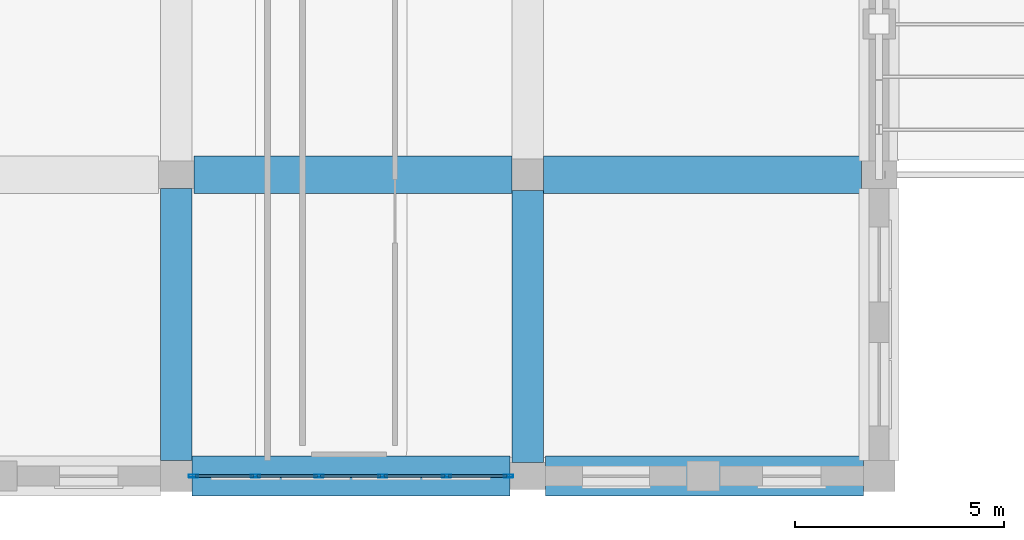
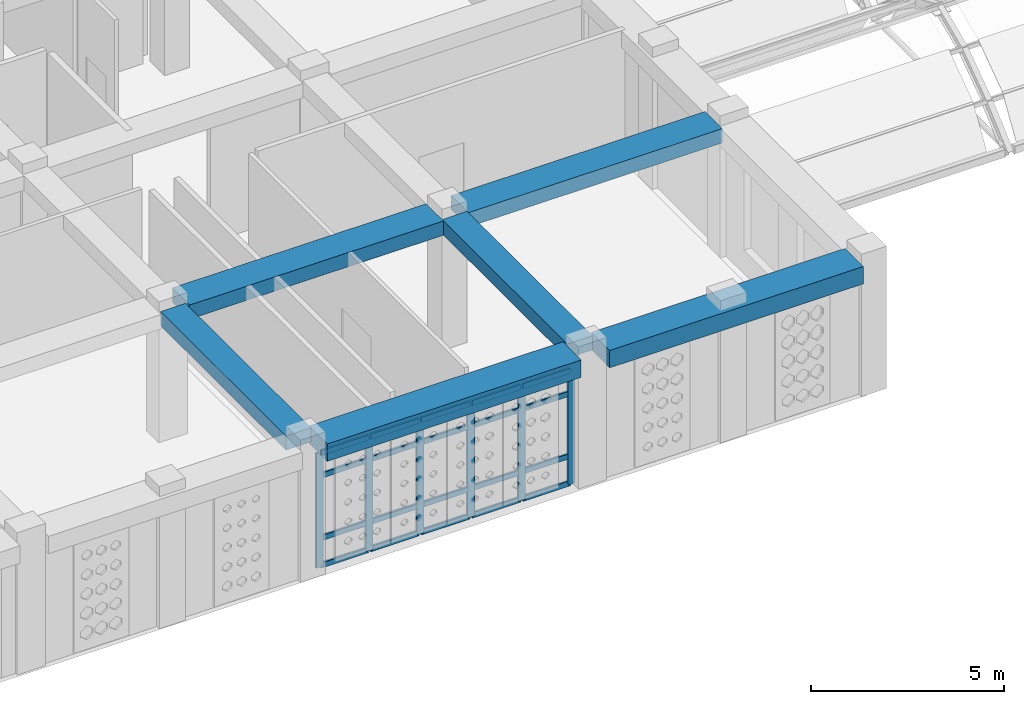
# One storey, part 7 of 100: 26 members, 6 beams, 1 element without a shape of its own.
"""IFC4 building model written with IfcOpenShell, lengths in metres."""

from ifc_helpers import new_model, si_unit, derived_unit, direction, frame, origin, origin_2d, place, context, subcontext, project, spatial, rectangle, hollow_rectangle, extrude, material, material_profile, profile_set, type_object, element, aggregate, save


model = new_model("IFC4")

# Units and contexts
model_context = context("Model", 3, precision=1e-05, world=origin(), true_north=direction((0.0, 1.0)))
body_context = subcontext(model_context, "Body", "Model", "MODEL_VIEW")
ifc_project = project(units=[si_unit("LENGTHUNIT", "METRE"), si_unit("AREAUNIT", "SQUARE_METRE"), si_unit("VOLUMEUNIT", "CUBIC_METRE"), si_unit("PLANEANGLEUNIT", "RADIAN"), si_unit("MASSUNIT", "GRAM", prefix="KILO"), derived_unit("THERMALTRANSMITTANCEUNIT", [(si_unit("POWERUNIT", "WATT"), 1), (si_unit("LENGTHUNIT", "METRE"), -2), (si_unit("THERMODYNAMICTEMPERATUREUNIT", "KELVIN"), -1)])], contexts=[model_context])

# Site, building, storey
site_placement = place(None, origin())
site = spatial("IfcSite", under=ifc_project, at=site_placement, CompositionType="ELEMENT")
building_placement = place(site_placement, origin())
building = spatial("IfcBuilding", under=site, at=building_placement, Name="Veybourne Emporium", CompositionType="ELEMENT")
storey_placement = place(building_placement, frame((0.0, 0.0, 14.39990234375)))
storey = spatial("IfcBuildingStorey", under=building, at=storey_placement, Name="L03", CompositionType="ELEMENT", Elevation=14.39990234375)

# Curtain wall, members
ifc_material_1 = material(Name="Patinated Architectural Bronze", Category="bronze")
curtain_wall_type = type_object("IfcCurtainWallType", Name="CWSystem_CWS-13", PredefinedType="NOTDEFINED", material=ifc_material_1)
curtain_wall_placement = place(storey_placement, origin())
curtain_wall = element("IfcCurtainWall", 1, at=curtain_wall_placement, inside=storey, type_object=curtain_wall_type, Name="L03 bronze glazed curtain wall CWS-13 (021)", PredefinedType="NOTDEFINED")
ifc_material_profile_1 = material_profile(ifc_material_1, hollow_rectangle(XDim=0.072021484375, YDim=0.22509765625, WallThickness=0.0048828125, InnerFilletRadius=0.007568359375, OuterFilletRadius=0.012451171875, at=origin_2d()), Name="CWM 72x225x5")
ifc_profile_set_1 = profile_set([ifc_material_profile_1], Name="Patinated Architectural Bronze")
member_type_1 = type_object("IfcMemberType", Name="CWMullion_CW-M1", PredefinedType="MULLION", material=ifc_profile_set_1)
member_1_placement = place(storey_placement, frame((41.5390625, 0.0, 0.0), z_axis=(0.0, 0.0, 1.0), x_axis=(0.0, -1.0, 0.0)))
member_1 = element("IfcMember", 2, at=member_1_placement, type_object=member_type_1, Name="CWS-13 mullion 1", PredefinedType="MULLION", context=body_context, shape_type="SweptSolid", body=[
    extrude(hollow_rectangle(XDim=0.072021484375, YDim=0.22509765625, WallThickness=0.0048828125, InnerFilletRadius=0.007568359375, OuterFilletRadius=0.012451171875, at=origin_2d()), origin(), (0.0, 0.0, 1.0), 3.630126953125),
])
member_2_placement = place(storey_placement, frame((40.054931640625, 0.0, 0.0), z_axis=(0.0, 0.0, 1.0), x_axis=(0.0, -1.0, 0.0)))
member_2 = element("IfcMember", 3, at=member_2_placement, type_object=member_type_1, Name="CWS-13 mullion 2", PredefinedType="MULLION", context=body_context, shape_type="SweptSolid", body=[
    extrude(hollow_rectangle(XDim=0.072021484375, YDim=0.22509765625, WallThickness=0.0048828125, InnerFilletRadius=0.007568359375, OuterFilletRadius=0.012451171875, at=origin_2d()), origin(), (0.0, 0.0, 1.0), 3.630126953125),
])
member_3_placement = place(storey_placement, frame((38.534912109375, 0.0, 0.0), z_axis=(0.0, 0.0, 1.0), x_axis=(0.0, -1.0, 0.0)))
member_3 = element("IfcMember", 4, at=member_3_placement, type_object=member_type_1, Name="CWS-13 mullion 3", PredefinedType="MULLION", context=body_context, shape_type="SweptSolid", body=[
    extrude(hollow_rectangle(XDim=0.072021484375, YDim=0.22509765625, WallThickness=0.0048828125, InnerFilletRadius=0.007568359375, OuterFilletRadius=0.012451171875, at=origin_2d()), origin(), (0.0, 0.0, 1.0), 3.630126953125),
])
member_4_placement = place(storey_placement, frame((37.014892578125, 0.0, 0.0), z_axis=(0.0, 0.0, 1.0), x_axis=(0.0, -1.0, 0.0)))
member_4 = element("IfcMember", 5, at=member_4_placement, type_object=member_type_1, Name="CWS-13 mullion 4", PredefinedType="MULLION", context=body_context, shape_type="SweptSolid", body=[
    extrude(hollow_rectangle(XDim=0.072021484375, YDim=0.22509765625, WallThickness=0.0048828125, InnerFilletRadius=0.007568359375, OuterFilletRadius=0.012451171875, at=origin_2d()), origin(), (0.0, 0.0, 1.0), 3.630126953125),
])
member_5_placement = place(storey_placement, frame((35.4951171875, 0.0, 0.0), z_axis=(0.0, 0.0, 1.0), x_axis=(0.0, -1.0, 0.0)))
member_5 = element("IfcMember", 6, at=member_5_placement, type_object=member_type_1, Name="CWS-13 mullion 5", PredefinedType="MULLION", context=body_context, shape_type="SweptSolid", body=[
    extrude(hollow_rectangle(XDim=0.072021484375, YDim=0.22509765625, WallThickness=0.0048828125, InnerFilletRadius=0.007568359375, OuterFilletRadius=0.012451171875, at=origin_2d()), origin(), (0.0, 0.0, 1.0), 3.630126953125),
])
member_6_placement = place(storey_placement, frame((34.010986328125, 0.0, 0.0), z_axis=(0.0, 0.0, 1.0), x_axis=(0.0, -1.0, 0.0)))
member_6 = element("IfcMember", 7, at=member_6_placement, type_object=member_type_1, Name="CWS-13 mullion 6", PredefinedType="MULLION", context=body_context, shape_type="SweptSolid", body=[
    extrude(hollow_rectangle(XDim=0.072021484375, YDim=0.22509765625, WallThickness=0.0048828125, InnerFilletRadius=0.007568359375, OuterFilletRadius=0.012451171875, at=origin_2d()), origin(), (0.0, 0.0, 1.0), 3.630126953125),
])
ifc_material_profile_2 = material_profile(ifc_material_1, hollow_rectangle(XDim=0.072021484375, YDim=0.175048828125, WallThickness=0.0048828125, InnerFilletRadius=0.007568359375, OuterFilletRadius=0.012451171875, at=origin_2d()), Name="CWT 72x175x5")
ifc_profile_set_2 = profile_set([ifc_material_profile_2], Name="Patinated Architectural Bronze")
member_type_2 = type_object("IfcMemberType", Name="CWTransom_CW-T1", PredefinedType="NOTDEFINED", material=ifc_profile_set_2)
member_7_placement = place(storey_placement, frame((41.5029296875, 0.0, 0.0361328125), z_axis=(-1.0, 0.0, 0.0), x_axis=(0.0, -1.0, 0.0)))
member_7 = element("IfcMember", 8, at=member_7_placement, type_object=member_type_2, Name="CWS-13 transom 1.1", ObjectType="TRANSOM", PredefinedType="USERDEFINED", context=body_context, shape_type="SweptSolid", body=[
    extrude(hollow_rectangle(XDim=0.072021484375, YDim=0.175048828125, WallThickness=0.0048828125, InnerFilletRadius=0.007568359375, OuterFilletRadius=0.012451171875, at=origin_2d()), origin(), (0.0, 0.0, 1.0), 1.411865234375),
])
member_8_placement = place(storey_placement, frame((41.5029296875, 0.0, 0.900146484375), z_axis=(-1.0, 0.0, 0.0), x_axis=(0.0, -1.0, 0.0)))
member_8 = element("IfcMember", 9, at=member_8_placement, type_object=member_type_2, Name="CWS-13 transom 1.2", ObjectType="TRANSOM", PredefinedType="USERDEFINED", context=body_context, shape_type="SweptSolid", body=[
    extrude(hollow_rectangle(XDim=0.072021484375, YDim=0.175048828125, WallThickness=0.0048828125, InnerFilletRadius=0.007568359375, OuterFilletRadius=0.012451171875, at=origin_2d()), origin(), (0.0, 0.0, 1.0), 1.411865234375),
])
member_9_placement = place(storey_placement, frame((41.5029296875, 0.0, 2.880126953125), z_axis=(-1.0, 0.0, 0.0), x_axis=(0.0, -1.0, 0.0)))
member_9 = element("IfcMember", 10, at=member_9_placement, type_object=member_type_2, Name="CWS-13 transom 1.3", ObjectType="TRANSOM", PredefinedType="USERDEFINED", context=body_context, shape_type="SweptSolid", body=[
    extrude(hollow_rectangle(XDim=0.072021484375, YDim=0.175048828125, WallThickness=0.0048828125, InnerFilletRadius=0.007568359375, OuterFilletRadius=0.012451171875, at=origin_2d()), origin(), (0.0, 0.0, 1.0), 1.411865234375),
])
member_10_placement = place(storey_placement, frame((41.5029296875, 0.0, 3.593994140625), z_axis=(-1.0, 0.0, 0.0), x_axis=(0.0, -1.0, 0.0)))
member_10 = element("IfcMember", 11, at=member_10_placement, type_object=member_type_2, Name="CWS-13 transom 1.4", ObjectType="TRANSOM", PredefinedType="USERDEFINED", context=body_context, shape_type="SweptSolid", body=[
    extrude(hollow_rectangle(XDim=0.072021484375, YDim=0.175048828125, WallThickness=0.0048828125, InnerFilletRadius=0.007568359375, OuterFilletRadius=0.012451171875, at=origin_2d()), origin(), (0.0, 0.0, 1.0), 1.411865234375),
])
member_11_placement = place(storey_placement, frame((40.01904296875, 0.0, 0.0361328125), z_axis=(-1.0, 0.0, 0.0), x_axis=(0.0, -1.0, 0.0)))
member_11 = element("IfcMember", 12, at=member_11_placement, type_object=member_type_2, Name="CWS-13 transom 2.1", ObjectType="TRANSOM", PredefinedType="USERDEFINED", context=body_context, shape_type="SweptSolid", body=[
    extrude(hollow_rectangle(XDim=0.072021484375, YDim=0.175048828125, WallThickness=0.0048828125, InnerFilletRadius=0.007568359375, OuterFilletRadius=0.012451171875, at=origin_2d()), origin(), (0.0, 0.0, 1.0), 1.447998046875),
])
member_12_placement = place(storey_placement, frame((40.01904296875, 0.0, 0.900146484375), z_axis=(-1.0, 0.0, 0.0), x_axis=(0.0, -1.0, 0.0)))
member_12 = element("IfcMember", 13, at=member_12_placement, type_object=member_type_2, Name="CWS-13 transom 2.2", ObjectType="TRANSOM", PredefinedType="USERDEFINED", context=body_context, shape_type="SweptSolid", body=[
    extrude(hollow_rectangle(XDim=0.072021484375, YDim=0.175048828125, WallThickness=0.0048828125, InnerFilletRadius=0.007568359375, OuterFilletRadius=0.012451171875, at=origin_2d()), origin(), (0.0, 0.0, 1.0), 1.447998046875),
])
member_13_placement = place(storey_placement, frame((40.01904296875, 0.0, 2.880126953125), z_axis=(-1.0, 0.0, 0.0), x_axis=(0.0, -1.0, 0.0)))
member_13 = element("IfcMember", 14, at=member_13_placement, type_object=member_type_2, Name="CWS-13 transom 2.3", ObjectType="TRANSOM", PredefinedType="USERDEFINED", context=body_context, shape_type="SweptSolid", body=[
    extrude(hollow_rectangle(XDim=0.072021484375, YDim=0.175048828125, WallThickness=0.0048828125, InnerFilletRadius=0.007568359375, OuterFilletRadius=0.012451171875, at=origin_2d()), origin(), (0.0, 0.0, 1.0), 1.447998046875),
])
member_14_placement = place(storey_placement, frame((40.01904296875, 0.0, 3.593994140625), z_axis=(-1.0, 0.0, 0.0), x_axis=(0.0, -1.0, 0.0)))
member_14 = element("IfcMember", 15, at=member_14_placement, type_object=member_type_2, Name="CWS-13 transom 2.4", ObjectType="TRANSOM", PredefinedType="USERDEFINED", context=body_context, shape_type="SweptSolid", body=[
    extrude(hollow_rectangle(XDim=0.072021484375, YDim=0.175048828125, WallThickness=0.0048828125, InnerFilletRadius=0.007568359375, OuterFilletRadius=0.012451171875, at=origin_2d()), origin(), (0.0, 0.0, 1.0), 1.447998046875),
])
member_15_placement = place(storey_placement, frame((38.4990234375, 0.0, 0.0361328125), z_axis=(-1.0, 0.0, 0.0), x_axis=(0.0, -1.0, 0.0)))
member_15 = element("IfcMember", 16, at=member_15_placement, type_object=member_type_2, Name="CWS-13 transom 3.1", ObjectType="TRANSOM", PredefinedType="USERDEFINED", context=body_context, shape_type="SweptSolid", body=[
    extrude(hollow_rectangle(XDim=0.072021484375, YDim=0.175048828125, WallThickness=0.0048828125, InnerFilletRadius=0.007568359375, OuterFilletRadius=0.012451171875, at=origin_2d()), origin(), (0.0, 0.0, 1.0), 1.447998046875),
])
member_16_placement = place(storey_placement, frame((38.4990234375, 0.0, 0.900146484375), z_axis=(-1.0, 0.0, 0.0), x_axis=(0.0, -1.0, 0.0)))
member_16 = element("IfcMember", 17, at=member_16_placement, type_object=member_type_2, Name="CWS-13 transom 3.2", ObjectType="TRANSOM", PredefinedType="USERDEFINED", context=body_context, shape_type="SweptSolid", body=[
    extrude(hollow_rectangle(XDim=0.072021484375, YDim=0.175048828125, WallThickness=0.0048828125, InnerFilletRadius=0.007568359375, OuterFilletRadius=0.012451171875, at=origin_2d()), origin(), (0.0, 0.0, 1.0), 1.447998046875),
])
member_17_placement = place(storey_placement, frame((38.4990234375, 0.0, 2.880126953125), z_axis=(-1.0, 0.0, 0.0), x_axis=(0.0, -1.0, 0.0)))
member_17 = element("IfcMember", 18, at=member_17_placement, type_object=member_type_2, Name="CWS-13 transom 3.3", ObjectType="TRANSOM", PredefinedType="USERDEFINED", context=body_context, shape_type="SweptSolid", body=[
    extrude(hollow_rectangle(XDim=0.072021484375, YDim=0.175048828125, WallThickness=0.0048828125, InnerFilletRadius=0.007568359375, OuterFilletRadius=0.012451171875, at=origin_2d()), origin(), (0.0, 0.0, 1.0), 1.447998046875),
])
member_18_placement = place(storey_placement, frame((38.4990234375, 0.0, 3.593994140625), z_axis=(-1.0, 0.0, 0.0), x_axis=(0.0, -1.0, 0.0)))
member_18 = element("IfcMember", 19, at=member_18_placement, type_object=member_type_2, Name="CWS-13 transom 3.4", ObjectType="TRANSOM", PredefinedType="USERDEFINED", context=body_context, shape_type="SweptSolid", body=[
    extrude(hollow_rectangle(XDim=0.072021484375, YDim=0.175048828125, WallThickness=0.0048828125, InnerFilletRadius=0.007568359375, OuterFilletRadius=0.012451171875, at=origin_2d()), origin(), (0.0, 0.0, 1.0), 1.447998046875),
])
member_19_placement = place(storey_placement, frame((36.97900390625, 0.0, 0.0361328125), z_axis=(-1.0, 0.0, 0.0), x_axis=(0.0, -1.0, 0.0)))
member_19 = element("IfcMember", 20, at=member_19_placement, type_object=member_type_2, Name="CWS-13 transom 4.1", ObjectType="TRANSOM", PredefinedType="USERDEFINED", context=body_context, shape_type="SweptSolid", body=[
    extrude(hollow_rectangle(XDim=0.072021484375, YDim=0.175048828125, WallThickness=0.0048828125, InnerFilletRadius=0.007568359375, OuterFilletRadius=0.012451171875, at=origin_2d()), origin(), (0.0, 0.0, 1.0), 1.447998046875),
])
member_20_placement = place(storey_placement, frame((36.97900390625, 0.0, 0.900146484375), z_axis=(-1.0, 0.0, 0.0), x_axis=(0.0, -1.0, 0.0)))
member_20 = element("IfcMember", 21, at=member_20_placement, type_object=member_type_2, Name="CWS-13 transom 4.2", ObjectType="TRANSOM", PredefinedType="USERDEFINED", context=body_context, shape_type="SweptSolid", body=[
    extrude(hollow_rectangle(XDim=0.072021484375, YDim=0.175048828125, WallThickness=0.0048828125, InnerFilletRadius=0.007568359375, OuterFilletRadius=0.012451171875, at=origin_2d()), origin(), (0.0, 0.0, 1.0), 1.447998046875),
])
member_21_placement = place(storey_placement, frame((36.97900390625, 0.0, 2.880126953125), z_axis=(-1.0, 0.0, 0.0), x_axis=(0.0, -1.0, 0.0)))
member_21 = element("IfcMember", 22, at=member_21_placement, type_object=member_type_2, Name="CWS-13 transom 4.3", ObjectType="TRANSOM", PredefinedType="USERDEFINED", context=body_context, shape_type="SweptSolid", body=[
    extrude(hollow_rectangle(XDim=0.072021484375, YDim=0.175048828125, WallThickness=0.0048828125, InnerFilletRadius=0.007568359375, OuterFilletRadius=0.012451171875, at=origin_2d()), origin(), (0.0, 0.0, 1.0), 1.447998046875),
])
member_22_placement = place(storey_placement, frame((36.97900390625, 0.0, 3.593994140625), z_axis=(-1.0, 0.0, 0.0), x_axis=(0.0, -1.0, 0.0)))
member_22 = element("IfcMember", 23, at=member_22_placement, type_object=member_type_2, Name="CWS-13 transom 4.4", ObjectType="TRANSOM", PredefinedType="USERDEFINED", context=body_context, shape_type="SweptSolid", body=[
    extrude(hollow_rectangle(XDim=0.072021484375, YDim=0.175048828125, WallThickness=0.0048828125, InnerFilletRadius=0.007568359375, OuterFilletRadius=0.012451171875, at=origin_2d()), origin(), (0.0, 0.0, 1.0), 1.447998046875),
])
member_23_placement = place(storey_placement, frame((35.458984375, 0.0, 0.0361328125), z_axis=(-1.0, 0.0, 0.0), x_axis=(0.0, -1.0, 0.0)))
member_23 = element("IfcMember", 24, at=member_23_placement, type_object=member_type_2, Name="CWS-13 transom 5.1", ObjectType="TRANSOM", PredefinedType="USERDEFINED", context=body_context, shape_type="SweptSolid", body=[
    extrude(hollow_rectangle(XDim=0.072021484375, YDim=0.175048828125, WallThickness=0.0048828125, InnerFilletRadius=0.007568359375, OuterFilletRadius=0.012451171875, at=origin_2d()), origin(), (0.0, 0.0, 1.0), 1.411865234375),
])
member_24_placement = place(storey_placement, frame((35.458984375, 0.0, 0.900146484375), z_axis=(-1.0, 0.0, 0.0), x_axis=(0.0, -1.0, 0.0)))
member_24 = element("IfcMember", 25, at=member_24_placement, type_object=member_type_2, Name="CWS-13 transom 5.2", ObjectType="TRANSOM", PredefinedType="USERDEFINED", context=body_context, shape_type="SweptSolid", body=[
    extrude(hollow_rectangle(XDim=0.072021484375, YDim=0.175048828125, WallThickness=0.0048828125, InnerFilletRadius=0.007568359375, OuterFilletRadius=0.012451171875, at=origin_2d()), origin(), (0.0, 0.0, 1.0), 1.411865234375),
])
member_25_placement = place(storey_placement, frame((35.458984375, 0.0, 2.880126953125), z_axis=(-1.0, 0.0, 0.0), x_axis=(0.0, -1.0, 0.0)))
member_25 = element("IfcMember", 26, at=member_25_placement, type_object=member_type_2, Name="CWS-13 transom 5.3", ObjectType="TRANSOM", PredefinedType="USERDEFINED", context=body_context, shape_type="SweptSolid", body=[
    extrude(hollow_rectangle(XDim=0.072021484375, YDim=0.175048828125, WallThickness=0.0048828125, InnerFilletRadius=0.007568359375, OuterFilletRadius=0.012451171875, at=origin_2d()), origin(), (0.0, 0.0, 1.0), 1.411865234375),
])
member_26_placement = place(storey_placement, frame((35.458984375, 0.0, 3.593994140625), z_axis=(-1.0, 0.0, 0.0), x_axis=(0.0, -1.0, 0.0)))
member_26 = element("IfcMember", 27, at=member_26_placement, type_object=member_type_2, Name="CWS-13 transom 5.4", ObjectType="TRANSOM", PredefinedType="USERDEFINED", context=body_context, shape_type="SweptSolid", body=[
    extrude(hollow_rectangle(XDim=0.072021484375, YDim=0.175048828125, WallThickness=0.0048828125, InnerFilletRadius=0.007568359375, OuterFilletRadius=0.012451171875, at=origin_2d()), origin(), (0.0, 0.0, 1.0), 1.411865234375),
])
aggregate(curtain_wall, [member_1, member_2, member_3, member_4, member_5, member_6, member_7, member_8, member_9, member_10, member_11, member_12, member_13, member_14, member_15, member_16, member_17, member_18, member_19, member_20, member_21, member_22, member_23, member_24, member_25, member_26])

# Beams
ifc_material_2 = material(Name="Concrete C32/40", Category="concrete")
ifc_material_profile_3 = material_profile(ifc_material_2, rectangle(XDim=0.89990234375, YDim=0.449951171875, at=origin_2d()), Name="RC 900x450")
ifc_profile_set_3 = profile_set([ifc_material_profile_3], Name="Concrete C32/40")
beam_type_1 = type_object("IfcBeamType", Name="RCBeam_BB-03", PredefinedType="BEAM", material=ifc_profile_set_3)
for number, where, z_axis, x_axis, name in (
    (28, (34.02490234375, 7.199951171875, 3.955078125), (1.0, 0.0, 0.0), (0.0, 1.0, 0.0), "L03 X-grid beam BB-03 (4,1)"),
    (29, (42.375, 7.199951171875, 3.955078125), (1.0, 0.0, 0.0), (0.0, 1.0, 0.0), "L03 X-grid beam BB-03 (5,1)"),
):
    element("IfcBeam", number, at=place(storey_placement, frame(where, z_axis=z_axis, x_axis=x_axis)), inside=storey, type_object=beam_type_1, Name=name, PredefinedType="BEAM", context=body_context, shape_type="SweptSolid", body=[
        extrude(rectangle(XDim=0.89990234375, YDim=0.449951171875, at=origin_2d()), origin(), (0.0, 0.0, 1.0), 7.60009765625),
    ])
ifc_material_profile_4 = material_profile(ifc_material_2, rectangle(XDim=0.75, YDim=0.449951171875, at=origin_2d()), Name="RC 750x450")
ifc_profile_set_4 = profile_set([ifc_material_profile_4], Name="Concrete C32/40")
beam_type_2 = type_object("IfcBeamType", Name="RCBeam_BB-04", PredefinedType="BEAM", material=ifc_profile_set_4)
for number, where, z_axis, x_axis, name in (
    (30, (33.60009765625, 0.375, 3.955078125), (0.0, 1.0, 0.0), (-1.0, 0.0, 0.0), "L03 Y-grid beam BB-04 (4,0)"),
    (31, (42.0, 0.324951171875, 3.955078125), (0.0, 1.0, 0.0), (-1.0, 0.0, 0.0), "L03 Y-grid beam BB-04 (5,0)"),
):
    element("IfcBeam", number, at=place(storey_placement, frame(where, z_axis=z_axis, x_axis=x_axis)), inside=storey, type_object=beam_type_2, Name=name, PredefinedType="BEAM", context=body_context, shape_type="SweptSolid", body=[
        extrude(rectangle(XDim=0.75, YDim=0.449951171875, at=origin_2d()), origin(), (0.0, 0.0, 1.0), 6.5),
    ])
ifc_material_profile_5 = material_profile(ifc_material_2, rectangle(XDim=0.949951171875, YDim=0.550048828125, at=origin_2d()), Name="RC 950x550")
ifc_profile_set_5 = profile_set([ifc_material_profile_5], Name="Concrete C32/40")
beam_type_3 = type_object("IfcBeamType", Name="RCBeam_EB-01", PredefinedType="SPANDREL", material=ifc_profile_set_5)
for number, where, z_axis, x_axis, name in (
    (32, (33.97509765625, 0.0, 3.905029296875), (1.0, 0.0, 0.0), (0.0, 1.0, 0.0), "L03 X-grid beam EB-01 (4,0)"),
    (33, (42.425048828125, 0.0, 3.905029296875), (1.0, 0.0, 0.0), (0.0, 1.0, 0.0), "L03 X-grid beam EB-01 (5,0)"),
):
    element("IfcBeam", number, at=place(storey_placement, frame(where, z_axis=z_axis, x_axis=x_axis)), inside=storey, type_object=beam_type_3, Name=name, PredefinedType="SPANDREL", context=body_context, shape_type="SweptSolid", body=[
        extrude(rectangle(XDim=0.949951171875, YDim=0.550048828125, at=origin_2d()), origin(), (0.0, 0.0, 1.0), 7.599853515625),
    ])

save(model, "model.ifc")
